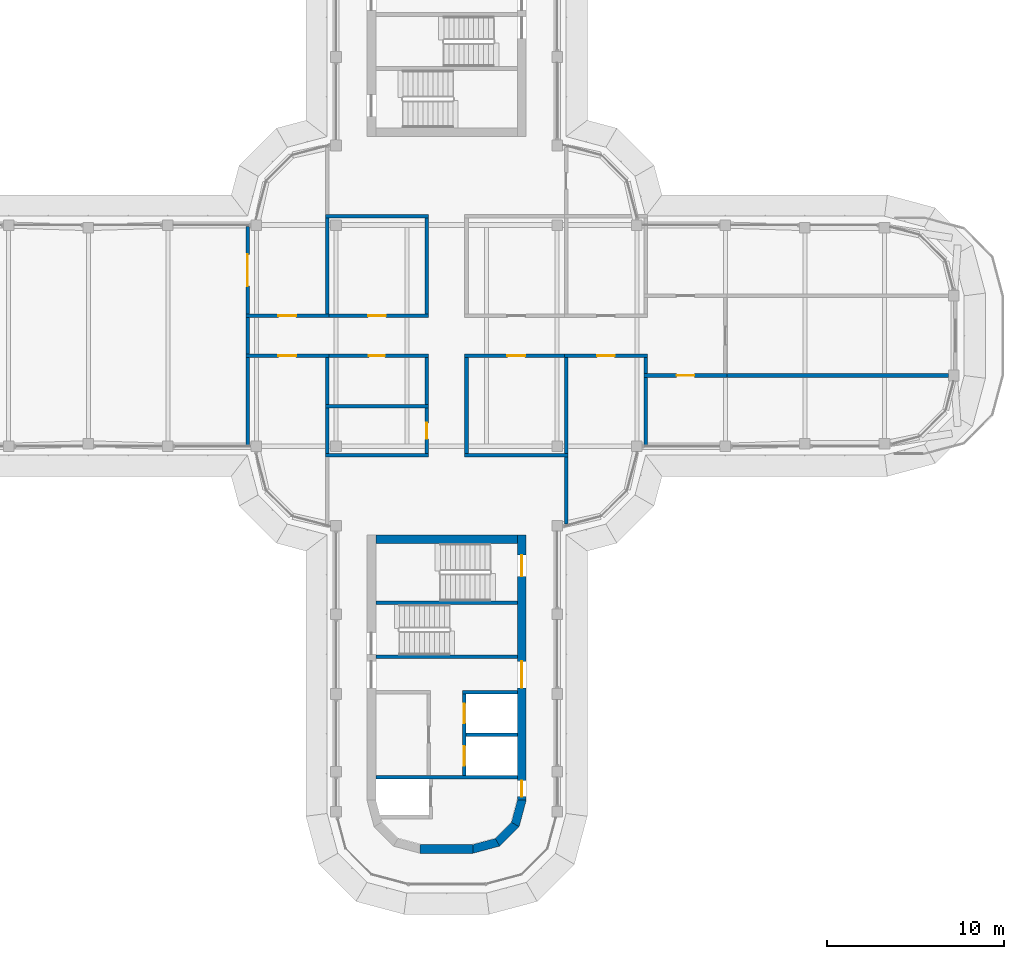
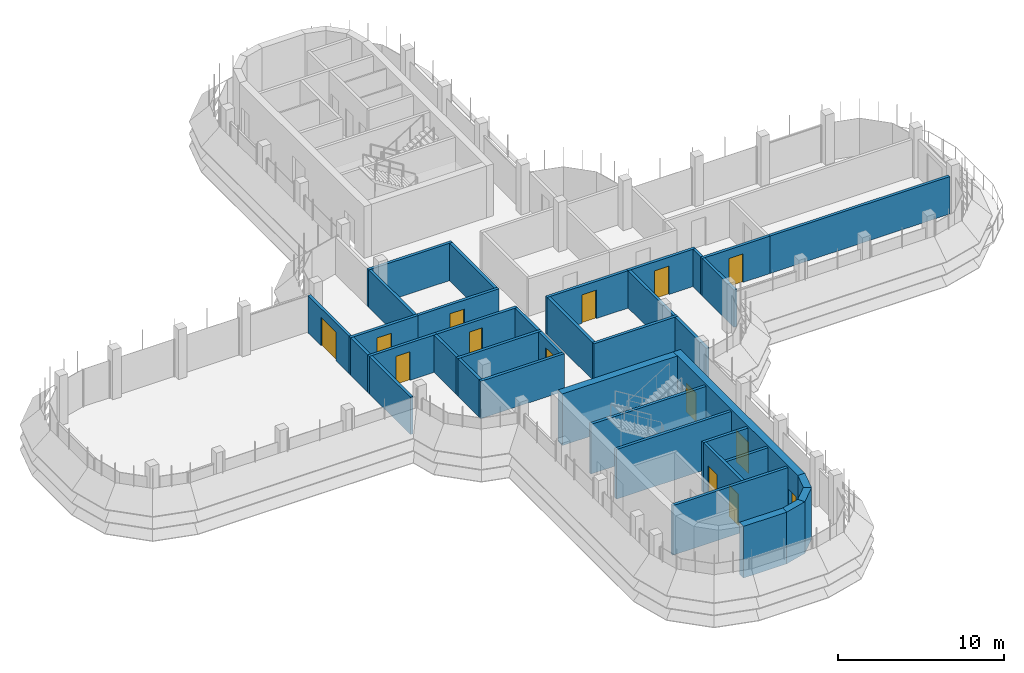
# One storey, part 14 of 20: 38 walls, 14 doors, 14 openings.
"""IFC4 building model written with IfcOpenShell, lengths in metres."""

from ifc_helpers import new_model, si_unit, direction, frame, frame_2d, origin, place, context, subcontext, project, spatial, polyline, rectangle, outline, extrude, material, layer, layer_set, type_object, element, fill, save


model = new_model("IFC4")

# Units and contexts
model_context = context("Model", 3, precision=1e-05, world=origin(), true_north=direction((0.0, 1.0)))
body_context = subcontext(model_context, "Body", "Model", "MODEL_VIEW")
ifc_project = project(units=[si_unit("LENGTHUNIT", "METRE"), si_unit("AREAUNIT", "SQUARE_METRE"), si_unit("VOLUMEUNIT", "CUBIC_METRE"), si_unit("PLANEANGLEUNIT", "RADIAN"), si_unit("MASSUNIT", "GRAM", prefix="KILO")], contexts=[model_context])

# Site, building, storey
site_placement = place(None, origin())
site = spatial("IfcSite", under=ifc_project, at=site_placement, CompositionType="ELEMENT")
building_placement = place(site_placement, origin())
building = spatial("IfcBuilding", under=site, at=building_placement, Name="Zarbagh Exchange Tower", CompositionType="ELEMENT")
storey_placement = place(building_placement, frame((0.0, 0.0, 249.800048828125)))
storey = spatial("IfcBuildingStorey", under=building, at=storey_placement, Name="L61", CompositionType="ELEMENT", Elevation=249.800048828125)

# Wall, opening, door
ifc_material_1 = material(Name="Fire-rated plasterboard partition")
ifc_layer_1 = layer(ifc_material_1, 0.199951171875)
ifc_layer_set_1 = layer_set([ifc_layer_1], Name="RATED PARTITION 200")
wall_type_1 = type_object("IfcWallType", Name="RATED PARTITION 200", PredefinedType="PARTITIONING", material=ifc_layer_set_1)
wall_1_placement = place(storey_placement, frame((-6.85009765625, 1.125, 0.0), z_axis=(0.0, 0.0, 1.0), x_axis=(1.0, 0.0, 0.0)))
wall_1 = element("IfcWall", 1, at=wall_1_placement, inside=storey, type_object=wall_type_1, Name="Partition W-2603", PredefinedType="PARTITIONING", context=body_context, shape_type="SweptSolid", body=[
    extrude(rectangle(XDim=5.8251953125, YDim=0.199951171875, at=frame_2d((2.91259765625, 0.0))), origin(), (0.0, 0.0, 1.0), 2.75),
])
opening_1_placement = place(wall_1_placement, frame((2.41259765625, 0.0, 0.0)))
opening_1 = element("IfcOpeningElement", 2, at=opening_1_placement, cuts=wall_1, Name="Opening D-2607", PredefinedType="OPENING", context=body_context, shape_type="SweptSolid", body=[
    extrude(rectangle(XDim=1.0, YDim=2.10009765625, at=frame_2d((0.5, 1.050048828125))), frame((0.0, 0.10986328125, 0.0), z_axis=(0.0, -1.0, 0.0), x_axis=(1.0, 0.0, 0.0)), (0.0, 0.0, 1.0), 0.219970703125),
])
ifc_material_2 = material(Name="Steel door set", Category="steel")
door_type_1 = type_object("IfcDoorType", Name="FIRE DOOR 1000 X 2100 FD30S", OperationType="NOTDEFINED", PredefinedType="DOOR", material=ifc_material_2)
door_1_placement = place(opening_1_placement, origin())
door_1 = element("IfcDoor", 3, at=door_1_placement, inside=storey, type_object=door_type_1, Name="Door D-2607", OperationType="SINGLE_SWING_RIGHT", OverallHeight=2.10009765625, OverallWidth=1.0, PredefinedType="DOOR", context=body_context, shape_type="SweptSolid", body=[
    extrude(rectangle(XDim=1.0, YDim=2.10009765625, at=frame_2d((0.5, 1.050048828125))), frame((0.0, 0.02490234375, 0.0), z_axis=(0.0, -1.0, 0.0), x_axis=(1.0, 0.0, 0.0)), (0.0, 0.0, 1.0), 0.050048828125),
])
fill(opening_1, door_1)

wall_2_placement = place(storey_placement, frame((-11.35009765625, 1.125, 0.0), z_axis=(0.0, 0.0, 1.0), x_axis=(1.0, 0.0, 0.0)))
wall_2 = element("IfcWall", 4, at=wall_2_placement, inside=storey, type_object=wall_type_1, Name="Partition W-2604", PredefinedType="PARTITIONING", context=body_context, shape_type="SweptSolid", body=[
    extrude(rectangle(XDim=4.7001953125, YDim=0.199951171875, at=frame_2d((2.35009765625, 0.0))), origin(), (0.0, 0.0, 1.0), 2.75),
])
opening_2_placement = place(wall_2_placement, frame((1.85009765625, 0.0, 0.0)))
opening_2 = element("IfcOpeningElement", 5, at=opening_2_placement, cuts=wall_2, Name="Opening D-2608", PredefinedType="OPENING", context=body_context, shape_type="SweptSolid", body=[
    extrude(rectangle(XDim=1.0, YDim=2.10009765625, at=frame_2d((0.5, 1.050048828125))), frame((0.0, 0.10986328125, 0.0), z_axis=(0.0, -1.0, 0.0), x_axis=(1.0, 0.0, 0.0)), (0.0, 0.0, 1.0), 0.219970703125),
])
door_2_placement = place(opening_2_placement, origin())
door_2 = element("IfcDoor", 6, at=door_2_placement, inside=storey, type_object=door_type_1, Name="Door D-2608", OperationType="SINGLE_SWING_RIGHT", OverallHeight=2.10009765625, OverallWidth=1.0, PredefinedType="DOOR", context=body_context, shape_type="SweptSolid", body=[
    extrude(rectangle(XDim=1.0, YDim=2.10009765625, at=frame_2d((0.5, 1.050048828125))), frame((0.0, 0.02490234375, 0.0), z_axis=(0.0, -1.0, 0.0), x_axis=(1.0, 0.0, 0.0)), (0.0, 0.0, 1.0), 0.050048828125),
])
fill(opening_2, door_2)

wall_3_placement = place(storey_placement, frame((6.85009765625, -1.125, 0.0), z_axis=(0.0, 0.0, 1.0), x_axis=(-1.0, 0.0, 0.0)))
wall_3 = element("IfcWall", 7, at=wall_3_placement, inside=storey, type_object=wall_type_1, Name="Partition W-2605", PredefinedType="PARTITIONING", context=body_context, shape_type="SweptSolid", body=[
    extrude(rectangle(XDim=5.8251953125, YDim=0.199951171875, at=frame_2d((2.91259765625, 0.0))), origin(), (0.0, 0.0, 1.0), 2.75),
])
opening_3_placement = place(wall_3_placement, frame((2.41259765625, 0.0, 0.0)))
opening_3 = element("IfcOpeningElement", 8, at=opening_3_placement, cuts=wall_3, Name="Opening D-2609", PredefinedType="OPENING", context=body_context, shape_type="SweptSolid", body=[
    extrude(rectangle(XDim=1.0, YDim=2.10009765625, at=frame_2d((0.5, 1.050048828125))), frame((0.0, 0.10986328125, 0.0), z_axis=(0.0, -1.0, 0.0), x_axis=(1.0, 0.0, 0.0)), (0.0, 0.0, 1.0), 0.219970703125),
])
door_3_placement = place(opening_3_placement, origin())
door_3 = element("IfcDoor", 9, at=door_3_placement, inside=storey, type_object=door_type_1, Name="Door D-2609", OperationType="SINGLE_SWING_RIGHT", OverallHeight=2.10009765625, OverallWidth=1.0, PredefinedType="DOOR", context=body_context, shape_type="SweptSolid", body=[
    extrude(rectangle(XDim=1.0, YDim=2.10009765625, at=frame_2d((0.5, 1.050048828125))), frame((0.0, 0.02490234375, 0.0), z_axis=(0.0, -1.0, 0.0), x_axis=(1.0, 0.0, 0.0)), (0.0, 0.0, 1.0), 0.050048828125),
])
fill(opening_3, door_3)

wall_4_placement = place(storey_placement, frame((11.35009765625, -1.125, 0.0), z_axis=(0.0, 0.0, 1.0), x_axis=(-1.0, 0.0, 0.0)))
wall_4 = element("IfcWall", 10, at=wall_4_placement, inside=storey, type_object=wall_type_1, Name="Partition W-2606", PredefinedType="PARTITIONING", context=body_context, shape_type="SweptSolid", body=[
    extrude(rectangle(XDim=4.7001953125, YDim=0.199951171875, at=frame_2d((2.35009765625, 0.0))), origin(), (0.0, 0.0, 1.0), 2.75),
])
opening_4_placement = place(wall_4_placement, frame((1.85009765625, 0.0, 0.0)))
opening_4 = element("IfcOpeningElement", 11, at=opening_4_placement, cuts=wall_4, Name="Opening D-2610", PredefinedType="OPENING", context=body_context, shape_type="SweptSolid", body=[
    extrude(rectangle(XDim=1.0, YDim=2.10009765625, at=frame_2d((0.5, 1.050048828125))), frame((0.0, 0.10986328125, 0.0), z_axis=(0.0, -1.0, 0.0), x_axis=(1.0, 0.0, 0.0)), (0.0, 0.0, 1.0), 0.219970703125),
])
door_4_placement = place(opening_4_placement, origin())
door_4 = element("IfcDoor", 12, at=door_4_placement, inside=storey, type_object=door_type_1, Name="Door D-2610", OperationType="SINGLE_SWING_RIGHT", OverallHeight=2.10009765625, OverallWidth=1.0, PredefinedType="DOOR", context=body_context, shape_type="SweptSolid", body=[
    extrude(rectangle(XDim=1.0, YDim=2.10009765625, at=frame_2d((0.5, 1.050048828125))), frame((0.0, 0.02490234375, 0.0), z_axis=(0.0, -1.0, 0.0), x_axis=(1.0, 0.0, 0.0)), (0.0, 0.0, 1.0), 0.050048828125),
])
fill(opening_4, door_4)

wall_5_placement = place(storey_placement, frame((-1.02490234375, -1.125, 0.0), z_axis=(0.0, 0.0, 1.0), x_axis=(-1.0, 0.0, 0.0)))
wall_5 = element("IfcWall", 13, at=wall_5_placement, inside=storey, type_object=wall_type_1, Name="Partition W-2607", PredefinedType="PARTITIONING", context=body_context, shape_type="SweptSolid", body=[
    extrude(rectangle(XDim=5.8251953125, YDim=0.199951171875, at=frame_2d((2.91259765625, 0.0))), origin(), (0.0, 0.0, 1.0), 2.75),
])
opening_5_placement = place(wall_5_placement, frame((2.46240234375, 0.0, 0.0)))
opening_5 = element("IfcOpeningElement", 14, at=opening_5_placement, cuts=wall_5, Name="Opening D-2611", PredefinedType="OPENING", context=body_context, shape_type="SweptSolid", body=[
    extrude(rectangle(XDim=0.89990234375, YDim=2.10009765625, at=frame_2d((0.449951171875, 1.050048828125))), frame((0.0, 0.10986328125, 0.0), z_axis=(0.0, -1.0, 0.0), x_axis=(1.0, 0.0, 0.0)), (0.0, 0.0, 1.0), 0.219970703125),
])
ifc_material_3 = material(Name="Timber door leaf", Category="wood")
door_type_2 = type_object("IfcDoorType", Name="DOOR 900 X 2100", OperationType="NOTDEFINED", PredefinedType="DOOR", material=ifc_material_3)
door_5_placement = place(opening_5_placement, origin())
door_5 = element("IfcDoor", 15, at=door_5_placement, inside=storey, type_object=door_type_2, Name="Door D-2611", OperationType="SINGLE_SWING_RIGHT", OverallHeight=2.10009765625, OverallWidth=0.89990234375, PredefinedType="DOOR", context=body_context, shape_type="SweptSolid", body=[
    extrude(rectangle(XDim=0.89990234375, YDim=2.10009765625, at=frame_2d((0.449951171875, 1.050048828125))), frame((0.0, 0.02490234375, 0.0), z_axis=(0.0, -1.0, 0.0), x_axis=(1.0, 0.0, 0.0)), (0.0, 0.0, 1.0), 0.050048828125),
])
fill(opening_5, door_5)

wall_6_placement = place(storey_placement, frame((-6.64990234375, -1.125, 0.0), z_axis=(0.0, 0.0, 1.0), x_axis=(-1.0, 0.0, 0.0)))
wall_6 = element("IfcWall", 16, at=wall_6_placement, inside=storey, type_object=wall_type_1, Name="Partition W-2608", PredefinedType="PARTITIONING", context=body_context, shape_type="SweptSolid", body=[
    extrude(rectangle(XDim=4.7001953125, YDim=0.199951171875, at=frame_2d((2.35009765625, 0.0))), origin(), (0.0, 0.0, 1.0), 2.75),
])
opening_6_placement = place(wall_6_placement, frame((1.85009765625, 0.0, 0.0)))
opening_6 = element("IfcOpeningElement", 17, at=opening_6_placement, cuts=wall_6, Name="Opening D-2613", PredefinedType="OPENING", context=body_context, shape_type="SweptSolid", body=[
    extrude(rectangle(XDim=1.0, YDim=2.10009765625, at=frame_2d((0.5, 1.050048828125))), frame((0.0, 0.10986328125, 0.0), z_axis=(0.0, -1.0, 0.0), x_axis=(1.0, 0.0, 0.0)), (0.0, 0.0, 1.0), 0.219970703125),
])
door_6_placement = place(opening_6_placement, origin())
door_6 = element("IfcDoor", 18, at=door_6_placement, inside=storey, type_object=door_type_1, Name="Door D-2613", OperationType="SINGLE_SWING_RIGHT", OverallHeight=2.10009765625, OverallWidth=1.0, PredefinedType="DOOR", context=body_context, shape_type="SweptSolid", body=[
    extrude(rectangle(XDim=1.0, YDim=2.10009765625, at=frame_2d((0.5, 1.050048828125))), frame((0.0, 0.02490234375, 0.0), z_axis=(0.0, -1.0, 0.0), x_axis=(1.0, 0.0, 0.0)), (0.0, 0.0, 1.0), 0.050048828125),
])
fill(opening_6, door_6)

# Walls
wall_7_placement = place(storey_placement, frame((-11.25, -1.02490234375, 0.0), z_axis=(0.0, 0.0, 1.0), x_axis=(0.0, 1.0, 0.0)))
element("IfcWall", 19, at=wall_7_placement, inside=storey, type_object=wall_type_1, Name="Partition W-2609", PredefinedType="PARTITIONING", context=body_context, shape_type="SweptSolid", body=[
    extrude(rectangle(XDim=2.0498046875, YDim=0.199951171875, at=frame_2d((1.02490234375, 0.0))), origin(), (0.0, 0.0, 1.0), 2.75),
])
for number, where, z_axis, x_axis, name in (
    (20, (-1.125, 1.22509765625, 0.0), (0.0, 0.0, 1.0), (0.0, 1.0, 0.0), "Partition W-2611"),
    (21, (1.125, -6.64990234375, 0.0), (0.0, 0.0, 1.0), (0.0, 1.0, 0.0), "Partition W-2612"),
):
    element("IfcWall", number, at=place(storey_placement, frame(where, z_axis=z_axis, x_axis=x_axis)), inside=storey, type_object=wall_type_1, Name=name, PredefinedType="PARTITIONING", context=body_context, shape_type="SweptSolid", body=[
        extrude(rectangle(XDim=5.4248046875, YDim=0.199951171875, at=frame_2d((2.71240234375, 0.0))), origin(), (0.0, 0.0, 1.0), 2.75),
    ])
wall_8_placement = place(storey_placement, frame((-1.125, -3.89990234375, 0.0), z_axis=(0.0, 0.0, 1.0), x_axis=(0.0, 1.0, 0.0)))
element("IfcWall", 22, at=wall_8_placement, inside=storey, type_object=wall_type_1, Name="Partition W-2613", PredefinedType="PARTITIONING", context=body_context, shape_type="SweptSolid", body=[
    extrude(rectangle(XDim=2.6748046875, YDim=0.199951171875, at=frame_2d((1.33740234375, 0.0))), origin(), (0.0, 0.0, 1.0), 2.75),
])

# Wall, opening, door
wall_9_placement = place(storey_placement, frame((-1.125, -6.64990234375, 0.0), z_axis=(0.0, 0.0, 1.0), x_axis=(0.0, 1.0, 0.0)))
wall_9 = element("IfcWall", 23, at=wall_9_placement, inside=storey, type_object=wall_type_1, Name="Partition W-2614", PredefinedType="PARTITIONING", context=body_context, shape_type="SweptSolid", body=[
    extrude(rectangle(XDim=2.5498046875, YDim=0.199951171875, at=frame_2d((1.27490234375, 0.0))), origin(), (0.0, 0.0, 1.0), 2.75),
])
opening_7_placement = place(wall_9_placement, frame((0.824951171875, 0.0, 0.0)))
opening_7 = element("IfcOpeningElement", 24, at=opening_7_placement, cuts=wall_9, Name="Opening D-2612", PredefinedType="OPENING", context=body_context, shape_type="SweptSolid", body=[
    extrude(rectangle(XDim=0.89990234375, YDim=2.10009765625, at=frame_2d((0.449951171875, 1.050048828125))), frame((0.0, 0.10986328125, 0.0), z_axis=(0.0, -1.0, 0.0), x_axis=(1.0, 0.0, 0.0)), (0.0, 0.0, 1.0), 0.219970703125),
])
door_7_placement = place(opening_7_placement, origin())
door_7 = element("IfcDoor", 25, at=door_7_placement, inside=storey, type_object=door_type_2, Name="Door D-2612", OperationType="SINGLE_SWING_RIGHT", OverallHeight=2.10009765625, OverallWidth=0.89990234375, PredefinedType="DOOR", context=body_context, shape_type="SweptSolid", body=[
    extrude(rectangle(XDim=0.89990234375, YDim=2.10009765625, at=frame_2d((0.449951171875, 1.050048828125))), frame((0.0, 0.02490234375, 0.0), z_axis=(0.0, -1.0, 0.0), x_axis=(1.0, 0.0, 0.0)), (0.0, 0.0, 1.0), 0.050048828125),
])
fill(opening_7, door_7)

# Walls
for number, where, z_axis, x_axis, name in (
    (26, (-6.85009765625, 6.75, 0.0), (0.0, 0.0, 1.0), (1.0, 0.0, 0.0), "Partition W-2617"),
    (27, (1.02490234375, -6.75, 0.0), (0.0, 0.0, 1.0), (1.0, 0.0, 0.0), "Partition W-2619"),
):
    element("IfcWall", number, at=place(storey_placement, frame(where, z_axis=z_axis, x_axis=x_axis)), inside=storey, type_object=wall_type_1, Name=name, PredefinedType="PARTITIONING", context=body_context, shape_type="SweptSolid", body=[
        extrude(rectangle(XDim=5.8251953125, YDim=0.199951171875, at=frame_2d((2.91259765625, 0.0))), origin(), (0.0, 0.0, 1.0), 2.75),
    ])
wall_10_placement = place(storey_placement, frame((6.75, -10.6298828125, 0.0), z_axis=(0.0, 0.0, 1.0), x_axis=(0.0, 1.0, 0.0)))
element("IfcWall", 28, at=wall_10_placement, inside=storey, type_object=wall_type_1, Name="Partition W-2620", PredefinedType="PARTITIONING", context=body_context, shape_type="SweptSolid", body=[
    extrude(rectangle(XDim=3.77978515625, YDim=0.199951171875, at=frame_2d((1.889892578125, 0.0))), origin(), (0.0, 0.0, 1.0), 2.75),
])
wall_11_placement = place(storey_placement, frame((-6.85009765625, -6.75, 0.0), z_axis=(0.0, 0.0, 1.0), x_axis=(1.0, 0.0, 0.0)))
element("IfcWall", 29, at=wall_11_placement, inside=storey, type_object=wall_type_1, Name="Partition W-2621", PredefinedType="PARTITIONING", context=body_context, shape_type="SweptSolid", body=[
    extrude(rectangle(XDim=5.8251953125, YDim=0.199951171875, at=frame_2d((2.91259765625, 0.0))), origin(), (0.0, 0.0, 1.0), 2.75),
])
wall_12_placement = place(storey_placement, frame((-6.75, 1.22509765625, 0.0), z_axis=(0.0, 0.0, 1.0), x_axis=(0.0, 1.0, 0.0)))
element("IfcWall", 30, at=wall_12_placement, inside=storey, type_object=wall_type_1, Name="Partition W-2627", PredefinedType="PARTITIONING", context=body_context, shape_type="SweptSolid", body=[
    extrude(rectangle(XDim=5.4248046875, YDim=0.199951171875, at=frame_2d((2.71240234375, 0.0))), origin(), (0.0, 0.0, 1.0), 2.75),
])

# Wall, opening, door
wall_13_placement = place(storey_placement, frame((-11.25, 1.22509765625, 0.0), z_axis=(0.0, 0.0, 1.0), x_axis=(0.0, 1.0, 0.0)))
wall_13 = element("IfcWall", 31, at=wall_13_placement, inside=storey, type_object=wall_type_1, Name="Partition W-2628", PredefinedType="PARTITIONING", context=body_context, shape_type="SweptSolid", body=[
    extrude(rectangle(XDim=4.94482421875, YDim=0.199951171875, at=frame_2d((2.472412109375, 0.0))), origin(), (0.0, 0.0, 1.0), 2.75),
])
opening_8_placement = place(wall_13_placement, frame((1.572509765625, 0.0, 0.0)))
opening_8 = element("IfcOpeningElement", 32, at=opening_8_placement, cuts=wall_13, Name="Opening D-2614", PredefinedType="OPENING", context=body_context, shape_type="SweptSolid", body=[
    extrude(rectangle(XDim=1.800048828125, YDim=2.10009765625, at=frame_2d((0.89990234375, 1.050048828125))), frame((0.0, 0.10986328125, 0.0), z_axis=(0.0, -1.0, 0.0), x_axis=(1.0, 0.0, 0.0)), (0.0, 0.0, 1.0), 0.219970703125),
])
door_type_3 = type_object("IfcDoorType", Name="FIRE DOUBLE DOOR 1800 X 2100 FD30S", OperationType="DOUBLE_DOOR_SINGLE_SWING", PredefinedType="DOOR", material=ifc_material_2)
door_8_placement = place(opening_8_placement, origin())
door_8 = element("IfcDoor", 33, at=door_8_placement, inside=storey, type_object=door_type_3, Name="Door D-2614", OperationType="DOUBLE_DOOR_SINGLE_SWING", OverallHeight=2.10009765625, OverallWidth=1.800048828125, PredefinedType="DOOR", context=body_context, shape_type="SweptSolid", body=[
    extrude(rectangle(XDim=1.800048828125, YDim=2.10009765625, at=frame_2d((0.89990234375, 1.050048828125))), frame((0.0, 0.02490234375, 0.0), z_axis=(0.0, -1.0, 0.0), x_axis=(1.0, 0.0, 0.0)), (0.0, 0.0, 1.0), 0.050048828125),
])
fill(opening_8, door_8)

# Walls
wall_14_placement = place(storey_placement, frame((6.75, -6.64990234375, 0.0), z_axis=(0.0, 0.0, 1.0), x_axis=(0.0, 1.0, 0.0)))
element("IfcWall", 34, at=wall_14_placement, inside=storey, type_object=wall_type_1, Name="Partition W-2629", PredefinedType="PARTITIONING", context=body_context, shape_type="SweptSolid", body=[
    extrude(rectangle(XDim=5.4248046875, YDim=0.199951171875, at=frame_2d((2.71240234375, 0.0))), origin(), (0.0, 0.0, 1.0), 2.75),
])
wall_15_placement = place(storey_placement, frame((11.25, -2.14990234375, 0.0), z_axis=(0.0, 0.0, 1.0), x_axis=(0.0, 1.0, 0.0)))
element("IfcWall", 35, at=wall_15_placement, inside=storey, type_object=wall_type_1, Name="Partition W-2630", PredefinedType="PARTITIONING", context=body_context, shape_type="SweptSolid", body=[
    extrude(rectangle(XDim=0.9248046875, YDim=0.199951171875, at=frame_2d((0.46240234375, 0.0))), origin(), (0.0, 0.0, 1.0), 2.75),
])
wall_16_placement = place(storey_placement, frame((11.25, -6.169921875, 0.0), z_axis=(0.0, 0.0, 1.0), x_axis=(0.0, 1.0, 0.0)))
element("IfcWall", 36, at=wall_16_placement, inside=storey, type_object=wall_type_1, Name="Partition W-2631", PredefinedType="PARTITIONING", context=body_context, shape_type="SweptSolid", body=[
    extrude(rectangle(XDim=3.81982421875, YDim=0.199951171875, at=frame_2d((1.909912109375, 0.0))), origin(), (0.0, 0.0, 1.0), 2.75),
])
wall_17_placement = place(storey_placement, frame((-6.85009765625, -4.0, 0.0), z_axis=(0.0, 0.0, 1.0), x_axis=(1.0, 0.0, 0.0)))
element("IfcWall", 37, at=wall_17_placement, inside=storey, type_object=wall_type_1, Name="Partition W-2632", PredefinedType="PARTITIONING", context=body_context, shape_type="SweptSolid", body=[
    extrude(rectangle(XDim=5.8251953125, YDim=0.199951171875, at=frame_2d((2.91259765625, 0.0))), origin(), (0.0, 0.0, 1.0), 2.75),
])
wall_18_placement = place(storey_placement, frame((-6.75, -3.89990234375, 0.0), z_axis=(0.0, 0.0, 1.0), x_axis=(0.0, 1.0, 0.0)))
element("IfcWall", 38, at=wall_18_placement, inside=storey, type_object=wall_type_1, Name="Partition W-2633", PredefinedType="PARTITIONING", context=body_context, shape_type="SweptSolid", body=[
    extrude(rectangle(XDim=2.6748046875, YDim=0.199951171875, at=frame_2d((1.33740234375, 0.0))), origin(), (0.0, 0.0, 1.0), 2.75),
])
wall_19_placement = place(storey_placement, frame((-6.75, -6.64990234375, 0.0), z_axis=(0.0, 0.0, 1.0), x_axis=(0.0, 1.0, 0.0)))
element("IfcWall", 39, at=wall_19_placement, inside=storey, type_object=wall_type_1, Name="Partition W-2634", PredefinedType="PARTITIONING", context=body_context, shape_type="SweptSolid", body=[
    extrude(rectangle(XDim=2.5498046875, YDim=0.199951171875, at=frame_2d((1.27490234375, 0.0))), origin(), (0.0, 0.0, 1.0), 2.75),
])
wall_20_placement = place(storey_placement, frame((-11.25, -6.169921875, 0.0), z_axis=(0.0, 0.0, 1.0), x_axis=(0.0, 1.0, 0.0)))
element("IfcWall", 40, at=wall_20_placement, inside=storey, type_object=wall_type_1, Name="Partition W-2635", PredefinedType="PARTITIONING", context=body_context, shape_type="SweptSolid", body=[
    extrude(rectangle(XDim=4.94482421875, YDim=0.199951171875, at=frame_2d((2.472412109375, 0.0))), origin(), (0.0, 0.0, 1.0), 2.75),
])

# Wall, opening, door
wall_21_placement = place(storey_placement, frame((15.85009765625, -2.25, 0.0), z_axis=(0.0, 0.0, 1.0), x_axis=(-1.0, 0.0, 0.0)))
wall_21 = element("IfcWall", 41, at=wall_21_placement, inside=storey, type_object=wall_type_1, Name="Partition W-2637", PredefinedType="PARTITIONING", context=body_context, shape_type="SweptSolid", body=[
    extrude(rectangle(XDim=4.7001953125, YDim=0.199951171875, at=frame_2d((2.35009765625, 0.0))), origin(), (0.0, 0.0, 1.0), 2.75),
])
opening_9_placement = place(wall_21_placement, frame((1.85009765625, 0.0, 0.0)))
opening_9 = element("IfcOpeningElement", 42, at=opening_9_placement, cuts=wall_21, Name="Opening D-2603", PredefinedType="OPENING", context=body_context, shape_type="SweptSolid", body=[
    extrude(rectangle(XDim=1.0, YDim=2.10009765625, at=frame_2d((0.5, 1.050048828125))), frame((0.0, 0.10986328125, 0.0), z_axis=(0.0, -1.0, 0.0), x_axis=(1.0, 0.0, 0.0)), (0.0, 0.0, 1.0), 0.219970703125),
])
door_9_placement = place(opening_9_placement, origin())
door_9 = element("IfcDoor", 43, at=door_9_placement, inside=storey, type_object=door_type_1, Name="Door D-2603", OperationType="SINGLE_SWING_RIGHT", OverallHeight=2.10009765625, OverallWidth=1.0, PredefinedType="DOOR", context=body_context, shape_type="SweptSolid", body=[
    extrude(rectangle(XDim=1.0, YDim=2.10009765625, at=frame_2d((0.5, 1.050048828125))), frame((0.0, 0.02490234375, 0.0), z_axis=(0.0, -1.0, 0.0), x_axis=(1.0, 0.0, 0.0)), (0.0, 0.0, 1.0), 0.050048828125),
])
fill(opening_9, door_9)

# Walls
wall_22_placement = place(storey_placement, frame((15.64990234375, -2.25, 0.0), z_axis=(0.0, 0.0, 1.0), x_axis=(1.0, 0.0, 0.0)))
element("IfcWall", 44, at=wall_22_placement, inside=storey, type_object=wall_type_1, Name="Partition W-2640", PredefinedType="PARTITIONING", context=body_context, shape_type="SweptSolid", body=[
    extrude(rectangle(XDim=12.72021484375, YDim=0.199951171875, at=frame_2d((6.360107421875, 0.0))), origin(), (0.0, 0.0, 1.0), 2.75),
])
ifc_material_4 = material(Name="Concrete C40/50", Category="concrete")
ifc_layer_2 = layer(ifc_material_4, 0.5)
ifc_layer_set_2 = layer_set([ifc_layer_2], Name="RC core corner wall 500 C40/50")
wall_type_2 = type_object("IfcWallType", Name="RC core corner wall 500 C40/50", PredefinedType="SHEAR", material=ifc_layer_set_2)
wall_23_placement = place(storey_placement, origin())
element("IfcWall", 45, at=wall_23_placement, inside=storey, type_object=wall_type_2, Name="CW10 core S corner E", PredefinedType="SHEAR", context=body_context, shape_type="SweptSolid", body=[
    extrude(outline(polyline([(4.5, -26.25), (4.09814453125, -27.75), (3.6650390625, -27.5), (4.0, -26.25), (4.5, -26.25)])), origin(), (0.0, 0.0, 1.0), 3.800048828125),
])
wall_24_placement = place(storey_placement, origin())
element("IfcWall", 46, at=wall_24_placement, inside=storey, type_object=wall_type_2, Name="CW10 core S corner E", PredefinedType="SHEAR", context=body_context, shape_type="SweptSolid", body=[
    extrude(outline(polyline([(4.09814453125, -27.75), (3.0, -28.84814453125), (2.75, -28.4150390625), (3.6650390625, -27.5), (4.09814453125, -27.75)])), origin(), (0.0, 0.0, 1.0), 3.800048828125),
])
wall_25_placement = place(storey_placement, origin())
element("IfcWall", 47, at=wall_25_placement, inside=storey, type_object=wall_type_2, Name="CW10 core S corner E", PredefinedType="SHEAR", context=body_context, shape_type="SweptSolid", body=[
    extrude(outline(polyline([(3.0, -28.84814453125), (1.5, -29.25), (1.5, -28.75), (2.75, -28.4150390625), (3.0, -28.84814453125)])), origin(), (0.0, 0.0, 1.0), 3.800048828125),
])

# Wall, openings, doors
ifc_layer_3 = layer(ifc_material_4, 0.5)
ifc_layer_set_3 = layer_set([ifc_layer_3], Name="RC core wall 500 C40/50")
wall_type_3 = type_object("IfcWallType", Name="RC core wall 500 C40/50", PredefinedType="SHEAR", material=ifc_layer_set_3)
wall_26_placement = place(storey_placement, frame((4.25, -11.25, 0.0), z_axis=(0.0, 0.0, 1.0), x_axis=(0.0, -1.0, 0.0)))
wall_26 = element("IfcWall", 48, at=wall_26_placement, inside=storey, type_object=wall_type_3, Name="CW9 core S E", PredefinedType="SHEAR", context=body_context, shape_type="SweptSolid", body=[
    extrude(rectangle(XDim=15.0, YDim=0.5, at=frame_2d((7.5, 0.0))), origin(), (0.0, 0.0, 1.0), 3.800048828125),
])
opening_10_placement = place(wall_26_placement, frame((7.14990234375, 0.0, 0.0)))
opening_10 = element("IfcOpeningElement", 49, at=opening_10_placement, cuts=wall_26, Name="Opening CD1-1500", PredefinedType="OPENING", context=body_context, shape_type="SweptSolid", body=[
    extrude(rectangle(XDim=1.5, YDim=2.300048828125, at=frame_2d((0.75, 1.14990234375))), frame((0.0, 0.260009765625, 0.0), z_axis=(0.0, -1.0, 0.0), x_axis=(1.0, 0.0, 0.0)), (0.0, 0.0, 1.0), 0.52001953125),
])
opening_11_placement = place(wall_26_placement, frame((13.89990234375, 0.0, 0.0)))
opening_11 = element("IfcOpeningElement", 50, at=opening_11_placement, cuts=wall_26, Name="Opening CD2-900", PredefinedType="OPENING", context=body_context, shape_type="SweptSolid", body=[
    extrude(rectangle(XDim=0.89990234375, YDim=2.10009765625, at=frame_2d((0.449951171875, 1.050048828125))), frame((0.0, 0.260009765625, 0.0), z_axis=(0.0, -1.0, 0.0), x_axis=(1.0, 0.0, 0.0)), (0.0, 0.0, 1.0), 0.52001953125),
])
opening_12_placement = place(wall_26_placement, frame((1.14990234375, 0.0, 0.0)))
opening_12 = element("IfcOpeningElement", 51, at=opening_12_placement, cuts=wall_26, Name="Opening SD1-1200", PredefinedType="OPENING", context=body_context, shape_type="SweptSolid", body=[
    extrude(rectangle(XDim=1.199951171875, YDim=2.10009765625, at=frame_2d((0.60009765625, 1.050048828125))), frame((0.0, 0.260009765625, 0.0), z_axis=(0.0, -1.0, 0.0), x_axis=(1.0, 0.0, 0.0)), (0.0, 0.0, 1.0), 0.52001953125),
])
ifc_material_5 = material(Name="Steel", Category="steel")
door_type_4 = type_object("IfcDoorType", Name="Exit stair door 1200 x 2100", OperationType="NOTDEFINED", PredefinedType="DOOR", material=ifc_material_5)
door_10_placement = place(opening_12_placement, origin())
door_10 = element("IfcDoor", 52, at=door_10_placement, inside=storey, type_object=door_type_4, Name="South core stair door ST2", OperationType="SINGLE_SWING_RIGHT", OverallHeight=2.10009765625, OverallWidth=1.199951171875, PredefinedType="DOOR", context=body_context, shape_type="SweptSolid", body=[
    extrude(rectangle(XDim=1.199951171875, YDim=2.10009765625, at=frame_2d((0.60009765625, 1.050048828125))), frame((0.0, 0.02490234375, 0.0), z_axis=(0.0, -1.0, 0.0), x_axis=(1.0, 0.0, 0.0)), (0.0, 0.0, 1.0), 0.050048828125),
])
fill(opening_12, door_10)
door_type_5 = type_object("IfcDoorType", Name="Firefighting lobby door 900 x 2100", OperationType="NOTDEFINED", PredefinedType="DOOR", material=ifc_material_5)
door_11_placement = place(opening_11_placement, origin())
door_11 = element("IfcDoor", 53, at=door_11_placement, inside=storey, type_object=door_type_5, Name="South core firefighting lobby door FF-W", OperationType="SINGLE_SWING_LEFT", OverallHeight=2.10009765625, OverallWidth=0.89990234375, PredefinedType="DOOR", context=body_context, shape_type="SweptSolid", body=[
    extrude(rectangle(XDim=0.89990234375, YDim=2.10009765625, at=frame_2d((0.449951171875, 1.050048828125))), frame((0.0, 0.02490234375, 0.0), z_axis=(0.0, -1.0, 0.0), x_axis=(1.0, 0.0, 0.0)), (0.0, 0.0, 1.0), 0.050048828125),
])
fill(opening_11, door_11)
door_type_6 = type_object("IfcDoorType", Name="Lift lobby double door 1500 x 2300", OperationType="NOTDEFINED", PredefinedType="DOOR", material=ifc_material_5)
door_12_placement = place(opening_10_placement, origin())
door_12 = element("IfcDoor", 54, at=door_12_placement, inside=storey, type_object=door_type_6, Name="South core lift lobby door LOBBY-W", OperationType="DOUBLE_DOOR_SINGLE_SWING", OverallHeight=2.300048828125, OverallWidth=1.5, PredefinedType="DOOR", context=body_context, shape_type="SweptSolid", body=[
    extrude(rectangle(XDim=1.5, YDim=2.300048828125, at=frame_2d((0.75, 1.14990234375))), frame((0.0, 0.02490234375, 0.0), z_axis=(0.0, -1.0, 0.0), x_axis=(1.0, 0.0, 0.0)), (0.0, 0.0, 1.0), 0.050048828125),
])
fill(opening_10, door_12)

# Walls
wall_27_placement = place(storey_placement, frame((-4.0, -11.5, 0.0), z_axis=(0.0, 0.0, 1.0), x_axis=(1.0, 0.0, 0.0)))
element("IfcWall", 55, at=wall_27_placement, inside=storey, type_object=wall_type_3, Name="CW9 core S inner end", PredefinedType="SHEAR", context=body_context, shape_type="SweptSolid", body=[
    extrude(rectangle(XDim=8.0, YDim=0.5, at=frame_2d((4.0, 0.0))), origin(), (0.0, 0.0, 1.0), 3.800048828125),
])
wall_28_placement = place(storey_placement, frame((-1.5, -29.0, 0.0), z_axis=(0.0, 0.0, 1.0), x_axis=(1.0, 0.0, 0.0)))
element("IfcWall", 56, at=wall_28_placement, inside=storey, type_object=wall_type_3, Name="CW9 core S outer end", PredefinedType="SHEAR", context=body_context, shape_type="SweptSolid", body=[
    extrude(rectangle(XDim=3.0, YDim=0.5, at=frame_2d((1.5, 0.0))), origin(), (0.0, 0.0, 1.0), 3.800048828125),
])
ifc_material_6 = material(Name="Dense blockwork", Category="masonry")
ifc_layer_4 = layer(ifc_material_6, 0.199951171875)
ifc_layer_set_4 = layer_set([ifc_layer_4], Name="Shaft wall 200 mm blockwork")
wall_type_4 = type_object("IfcWallType", Name="Shaft wall 200 mm blockwork", PredefinedType="PARTITIONING", material=ifc_layer_set_4)
wall_29_placement = place(storey_placement, frame((4.0, -20.14990234375, 0.0), z_axis=(0.0, 0.0, 1.0), x_axis=(-1.0, 0.0, 0.0)))
element("IfcWall", 57, at=wall_29_placement, inside=storey, type_object=wall_type_4, Name="South core shaft wall AB-W", PredefinedType="PARTITIONING", context=body_context, shape_type="SweptSolid", body=[
    extrude(rectangle(XDim=3.10009765625, YDim=0.199951171875, at=frame_2d((1.550048828125, 0.0))), origin(), (0.0, 0.0, 1.0), 3.64990234375),
])

# Wall, openings, doors
wall_30_placement = place(storey_placement, frame((1.0, -24.85009765625, 0.0), z_axis=(0.0, 0.0, 1.0), x_axis=(0.0, 1.0, 0.0)))
wall_30 = element("IfcWall", 58, at=wall_30_placement, inside=storey, type_object=wall_type_4, Name="South core shaft wall LW-W", PredefinedType="PARTITIONING", context=body_context, shape_type="SweptSolid", body=[
    extrude(rectangle(XDim=4.60009765625, YDim=0.199951171875, at=frame_2d((2.300048828125, 0.0))), origin(), (0.0, 0.0, 1.0), 3.64990234375),
])
opening_13_placement = place(wall_30_placement, frame((0.550048828125, 0.0, 0.0)))
opening_13 = element("IfcOpeningElement", 59, at=opening_13_placement, cuts=wall_30, Name="Opening LD-1100", PredefinedType="OPENING", context=body_context, shape_type="SweptSolid", body=[
    extrude(rectangle(XDim=1.10009765625, YDim=2.300048828125, at=frame_2d((0.550048828125, 1.14990234375))), frame((0.0, 0.10986328125, 0.0), z_axis=(0.0, -1.0, 0.0), x_axis=(1.0, 0.0, 0.0)), (0.0, 0.0, 1.0), 0.219970703125),
])
opening_14_placement = place(wall_30_placement, frame((2.949951171875, 0.0, 0.0)))
opening_14 = element("IfcOpeningElement", 60, at=opening_14_placement, cuts=wall_30, Name="Opening LD-1100", PredefinedType="OPENING", context=body_context, shape_type="SweptSolid", body=[
    extrude(rectangle(XDim=1.10009765625, YDim=2.300048828125, at=frame_2d((0.550048828125, 1.14990234375))), frame((0.0, 0.10986328125, 0.0), z_axis=(0.0, -1.0, 0.0), x_axis=(1.0, 0.0, 0.0)), (0.0, 0.0, 1.0), 0.219970703125),
])
ifc_material_7 = material(Name="Stainless steel", Category="steel")
door_type_7 = type_object("IfcDoorType", Name="Lift landing door 1100 x 2300", OperationType="NOTDEFINED", PredefinedType="DOOR", material=ifc_material_7)
door_13_placement = place(opening_13_placement, origin())
door_13 = element("IfcDoor", 61, at=door_13_placement, inside=storey, type_object=door_type_7, Name="South core lift landing door LD-P-S1", OperationType="DOUBLE_DOOR_SLIDING", OverallHeight=2.300048828125, OverallWidth=1.10009765625, PredefinedType="DOOR", context=body_context, shape_type="SweptSolid", body=[
    extrude(rectangle(XDim=1.10009765625, YDim=2.300048828125, at=frame_2d((0.550048828125, 1.14990234375))), frame((0.0, 0.02490234375, 0.0), z_axis=(0.0, -1.0, 0.0), x_axis=(1.0, 0.0, 0.0)), (0.0, 0.0, 1.0), 0.050048828125),
])
fill(opening_13, door_13)
door_14_placement = place(opening_14_placement, origin())
door_14 = element("IfcDoor", 62, at=door_14_placement, inside=storey, type_object=door_type_7, Name="South core lift landing door LD-P-S2", OperationType="DOUBLE_DOOR_SLIDING", OverallHeight=2.300048828125, OverallWidth=1.10009765625, PredefinedType="DOOR", context=body_context, shape_type="SweptSolid", body=[
    extrude(rectangle(XDim=1.10009765625, YDim=2.300048828125, at=frame_2d((0.550048828125, 1.14990234375))), frame((0.0, 0.02490234375, 0.0), z_axis=(0.0, -1.0, 0.0), x_axis=(1.0, 0.0, 0.0)), (0.0, 0.0, 1.0), 0.050048828125),
])
fill(opening_14, door_14)

# Walls
wall_31_placement = place(storey_placement, frame((4.0, -22.550048828125, 0.0), z_axis=(0.0, 0.0, 1.0), x_axis=(-1.0, 0.0, 0.0)))
element("IfcWall", 63, at=wall_31_placement, inside=storey, type_object=wall_type_4, Name="South core shaft wall TR-W", PredefinedType="PARTITIONING", context=body_context, shape_type="SweptSolid", body=[
    extrude(rectangle(XDim=2.89990234375, YDim=0.199951171875, at=frame_2d((1.449951171875, 0.0))), origin(), (0.0, 0.0, 1.0), 3.64990234375),
])
ifc_layer_5 = layer(ifc_material_4, 0.199951171875)
ifc_layer_set_5 = layer_set([ifc_layer_5], Name="Stair enclosure wall 200 mm RC C40/50")
wall_type_5 = type_object("IfcWallType", Name="Stair enclosure wall 200 mm RC C40/50", PredefinedType="SHEAR", material=ifc_layer_set_5)
for number, where, z_axis, x_axis, name in (
    (64, (4.0, -24.949951171875, 0.0), (0.0, 0.0, 1.0), (-1.0, 0.0, 0.0), "South core lift shaft wall FFA"),
    (65, (4.0, -18.14990234375, 0.0), (0.0, 0.0, 1.0), (-1.0, 0.0, 0.0), "South core stair wall BS"),
    (66, (4.0, -15.10009765625, 0.0), (0.0, 0.0, 1.0), (-1.0, 0.0, 0.0), "South core stair wall ST12"),
):
    element("IfcWall", number, at=place(storey_placement, frame(where, z_axis=z_axis, x_axis=x_axis)), inside=storey, type_object=wall_type_5, Name=name, PredefinedType="SHEAR", context=body_context, shape_type="SweptSolid", body=[
        extrude(rectangle(XDim=8.0, YDim=0.199951171875, at=frame_2d((4.0, 0.0))), origin(), (0.0, 0.0, 1.0), 3.64990234375),
    ])

save(model, "model.ifc")
